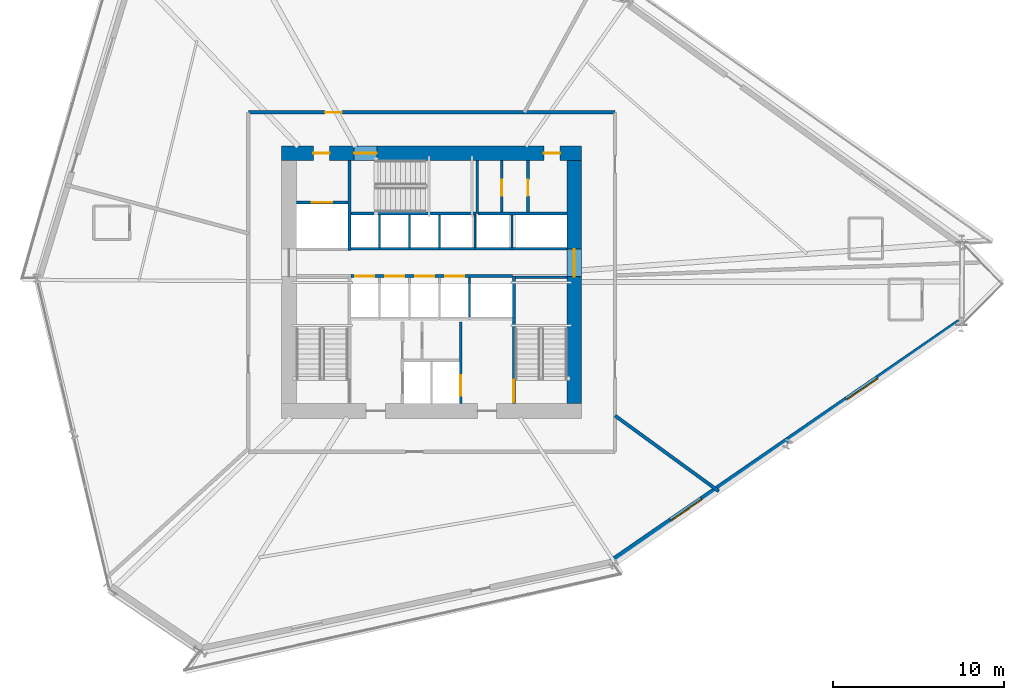
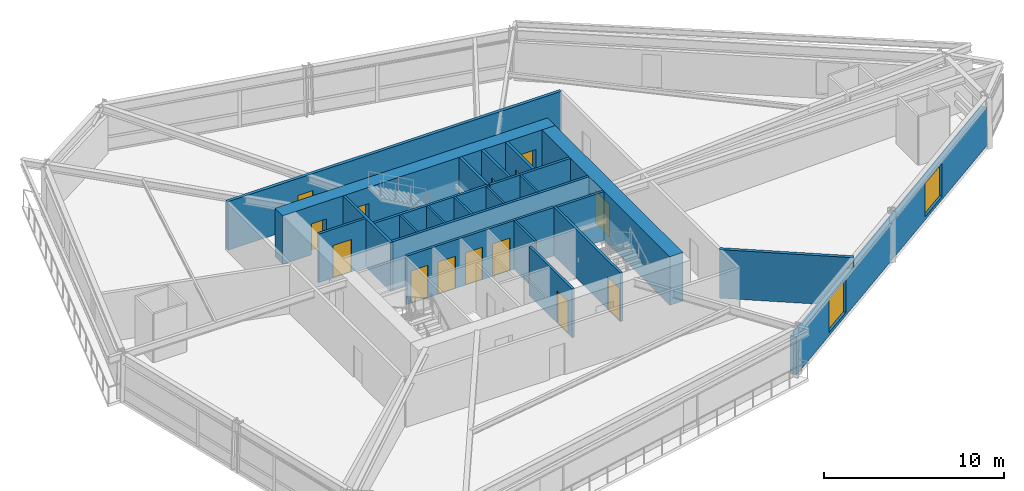
# One storey, part 19 of 24: 23 walls, 14 doors, 2 windows, 16 openings.
"""IFC4 building model written with IfcOpenShell, lengths in metres."""

from ifc_helpers import new_model, si_unit, direction, frame, frame_2d, origin, place, context, subcontext, project, spatial, rectangle, extrude, source, transform, mapped, material, layer, layer_set, type_object, type_shapes, element, fill, save


model = new_model("IFC4")

# Units and contexts
model_context = context("Model", 3, precision=1e-05, world=origin(), true_north=direction((0.0, 1.0)))
body_context = subcontext(model_context, "Body", "Model", "MODEL_VIEW")
ifc_project = project(units=[si_unit("LENGTHUNIT", "METRE"), si_unit("AREAUNIT", "SQUARE_METRE"), si_unit("VOLUMEUNIT", "CUBIC_METRE"), si_unit("PLANEANGLEUNIT", "RADIAN"), si_unit("MASSUNIT", "GRAM", prefix="KILO")], contexts=[model_context])

# Site, building, storey
site_placement = place(None, origin())
site = spatial("IfcSite", under=ifc_project, at=site_placement, CompositionType="ELEMENT")
building_placement = place(site_placement, origin())
building = spatial("IfcBuilding", under=site, at=building_placement, Name="Olszyna Solenne Hotel", CompositionType="ELEMENT")
storey_placement = place(building_placement, frame((0.0, 0.0, 36.39990234375)))
storey = spatial("IfcBuildingStorey", under=building, at=storey_placement, Name="L08", CompositionType="ELEMENT", Elevation=36.39990234375)

# Wall, openings, doors
ifc_material_1 = material(Name="Concrete C60/75", Category="concrete")
ifc_layer_1 = layer(ifc_material_1, 0.85009765625, Name="Concrete C60/75")
ifc_layer_set_1 = layer_set([ifc_layer_1], Name="Concrete C60/75")
wall_type_1 = type_object("IfcWallType", Name="WL-CR850", PredefinedType="SHEAR", material=ifc_layer_set_1)
wall_1_placement = place(storey_placement, frame((29.25, 34.125, 0.0), z_axis=(0.0, 0.0, 1.0), x_axis=(1.0, 0.0, 0.0)))
wall_1 = element("IfcWall", 1, at=wall_1_placement, inside=storey, type_object=wall_type_1, Name="Core shear wall WL-CR850 CRW-L08-N", PredefinedType="SHEAR", context=body_context, shape_type="SweptSolid", body=[
    extrude(rectangle(XDim=17.5, YDim=0.85009765625, at=frame_2d((8.75, 0.0))), origin(), (0.0, 0.0, 1.0), 3.300048828125),
])
opening_1_placement = place(wall_1_placement, frame((1.85009765625, 0.0, 0.0)))
opening_1 = element("IfcOpeningElement", 2, at=opening_1_placement, cuts=wall_1, Name="Opening SVD-L08-01", PredefinedType="OPENING", context=body_context, shape_type="SweptSolid", body=[
    extrude(rectangle(XDim=0.949951171875, YDim=2.10009765625, at=frame_2d((0.47509765625, 1.050048828125))), frame((0.0, 0.43505859375, 0.0), z_axis=(0.0, -1.0, 0.0), x_axis=(1.0, 0.0, 0.0)), (0.0, 0.0, 1.0), 0.8701171875),
])
opening_2_placement = place(wall_1_placement, frame((4.22998046875, 0.0, 0.0)))
opening_2 = element("IfcOpeningElement", 3, at=opening_2_placement, cuts=wall_1, Name="Opening STD-L08-03", PredefinedType="OPENING", context=body_context, shape_type="SweptSolid", body=[
    extrude(rectangle(XDim=1.320068359375, YDim=2.199951171875, at=frame_2d((0.66015625, 1.10009765625))), frame((0.0, 0.43505859375, 0.0), z_axis=(0.0, -1.0, 0.0), x_axis=(1.0, 0.0, 0.0)), (0.0, 0.0, 1.0), 0.8701171875),
])
opening_3_placement = place(wall_1_placement, frame((15.300048828125, 0.0, 0.0)))
opening_3 = element("IfcOpeningElement", 4, at=opening_3_placement, cuts=wall_1, Name="Opening SVD-L08-BN", PredefinedType="OPENING", context=body_context, shape_type="SweptSolid", body=[
    extrude(rectangle(XDim=0.949951171875, YDim=2.10009765625, at=frame_2d((0.47509765625, 1.050048828125))), frame((0.0, 0.43505859375, 0.0), z_axis=(0.0, -1.0, 0.0), x_axis=(1.0, 0.0, 0.0)), (0.0, 0.0, 1.0), 0.8701171875),
])
ifc_material_2 = material(Name="Steel S355J2", Category="steel")
door_type_1 = type_object("IfcDoorType", Name="DR-ST1", OperationType="NOTDEFINED", PredefinedType="DOOR", material=ifc_material_2)
shared_shape_1 = source(origin(), body_context, "Body", "SweptSolid", [
    extrude(rectangle(XDim=1.320068359375, YDim=2.199951171875, at=frame_2d((0.66015625, 1.10009765625))), frame((0.0, 0.02490234375, 0.0), z_axis=(0.0, -1.0, 0.0), x_axis=(1.0, 0.0, 0.0)), (0.0, 0.0, 1.0), 0.050048828125),
])
type_shapes(door_type_1, [shared_shape_1])
door_1_placement = place(opening_2_placement, origin())
door_1 = element("IfcDoor", 5, at=door_1_placement, inside=storey, type_object=door_type_1, Name="Pressurised exit stair ST3 fire door STD-L08-03", OperationType="SINGLE_SWING_RIGHT", OverallHeight=2.199951171875, OverallWidth=1.320068359375, PredefinedType="DOOR", context=body_context, shape_type="MappedRepresentation", body=[
    mapped(shared_shape_1, transform((0.0, 0.0, 0.0), x_axis=(1.0, 0.0, 0.0), y_axis=(0.0, 1.0, 0.0), z_axis=(0.0, 0.0, 1.0), scale=1.0)),
])
fill(opening_2, door_1)
door_type_2 = type_object("IfcDoorType", Name="DR-SV1", OperationType="NOTDEFINED", PredefinedType="DOOR", material=ifc_material_2)
shared_shape_2 = source(origin(), body_context, "Body", "SweptSolid", [
    extrude(rectangle(XDim=0.949951171875, YDim=2.10009765625, at=frame_2d((0.47509765625, 1.050048828125))), frame((0.0, 0.02490234375, 0.0), z_axis=(0.0, -1.0, 0.0), x_axis=(1.0, 0.0, 0.0)), (0.0, 0.0, 1.0), 0.050048828125),
])
type_shapes(door_type_2, [shared_shape_2])
door_2_placement = place(opening_1_placement, origin())
door_2 = element("IfcDoor", 6, at=door_2_placement, inside=storey, type_object=door_type_2, Name="Service lift lobby fire door SVD-L08-01", OperationType="SINGLE_SWING_LEFT", OverallHeight=2.10009765625, OverallWidth=0.949951171875, PredefinedType="DOOR", context=body_context, shape_type="MappedRepresentation", body=[
    mapped(shared_shape_2, transform((0.0, 0.0, 0.0), x_axis=(1.0, 0.0, 0.0), y_axis=(0.0, 1.0, 0.0), z_axis=(0.0, 0.0, 1.0), scale=1.0)),
])
fill(opening_1, door_2)
door_3_placement = place(opening_3_placement, origin())
door_3 = element("IfcDoor", 7, at=door_3_placement, inside=storey, type_object=door_type_2, Name="Housekeeping core fire door SVD-L08-BN", OperationType="SINGLE_SWING_LEFT", OverallHeight=2.10009765625, OverallWidth=0.949951171875, PredefinedType="DOOR", context=body_context, shape_type="MappedRepresentation", body=[
    mapped(shared_shape_2, transform((0.0, 0.0, 0.0), x_axis=(1.0, 0.0, 0.0), y_axis=(0.0, 1.0, 0.0), z_axis=(0.0, 0.0, 1.0), scale=1.0)),
])
fill(opening_3, door_3)

# Wall, opening, door
wall_2_placement = place(storey_placement, frame((46.324951171875, 33.699951171875, 0.0), z_axis=(0.0, 0.0, 1.0), x_axis=(0.0, -1.0, 0.0)))
wall_2 = element("IfcWall", 8, at=wall_2_placement, inside=storey, type_object=wall_type_1, Name="Core shear wall WL-CR850 CRW-L08-E", PredefinedType="SHEAR", context=body_context, shape_type="SweptSolid", body=[
    extrude(rectangle(XDim=14.199951171875, YDim=0.85009765625, at=frame_2d((7.10009765625, 0.0))), origin(), (0.0, 0.0, 1.0), 3.300048828125),
])
opening_4_placement = place(wall_2_placement, frame((5.179931640625, 0.0, 0.0)))
opening_4 = element("IfcOpeningElement", 9, at=opening_4_placement, cuts=wall_2, Name="Opening LHD-L08-E", PredefinedType="OPENING", context=body_context, shape_type="SweptSolid", body=[
    extrude(rectangle(XDim=1.60009765625, YDim=2.199951171875, at=frame_2d((0.800048828125, 1.10009765625))), frame((0.0, 0.43505859375, 0.0), z_axis=(0.0, -1.0, 0.0), x_axis=(1.0, 0.0, 0.0)), (0.0, 0.0, 1.0), 0.8701171875),
])
ifc_material_3 = material(Name="Timber hardwood", Category="wood")
door_type_3 = type_object("IfcDoorType", Name="DR-CR1", OperationType="DOUBLE_DOOR_SINGLE_SWING", PredefinedType="DOOR", material=ifc_material_3)
shared_shape_3 = source(origin(), body_context, "Body", "SweptSolid", [
    extrude(rectangle(XDim=1.60009765625, YDim=2.199951171875, at=frame_2d((0.800048828125, 1.10009765625))), frame((0.0, 0.02490234375, 0.0), z_axis=(0.0, -1.0, 0.0), x_axis=(1.0, 0.0, 0.0)), (0.0, 0.0, 1.0), 0.050048828125),
])
type_shapes(door_type_3, [shared_shape_3])
door_4_placement = place(opening_4_placement, origin())
door_4 = element("IfcDoor", 10, at=door_4_placement, inside=storey, type_object=door_type_3, Name="Passenger lift lobby East fire door LHD-L08-E", OperationType="DOUBLE_DOOR_SINGLE_SWING", OverallHeight=2.199951171875, OverallWidth=1.60009765625, PredefinedType="DOOR", context=body_context, shape_type="MappedRepresentation", body=[
    mapped(shared_shape_3, transform((0.0, 0.0, 0.0), x_axis=(1.0, 0.0, 0.0), y_axis=(0.0, 1.0, 0.0), z_axis=(0.0, 0.0, 1.0), scale=1.0)),
])
fill(opening_4, door_4)

# Wall, openings, windows
ifc_material_4 = material(Name="Terracotta cladding on precast concrete C45/55", Category="masonry")
ifc_layer_2 = layer(ifc_material_4, 0.3798828125, Name="Terracotta cladding on precast concrete C45/55")
ifc_layer_set_2 = layer_set([ifc_layer_2], Name="Terracotta cladding on precast concrete C45/55")
wall_type_2 = type_object("IfcWallType", Name="WL-EX380", PredefinedType="SOLIDWALL", material=ifc_layer_set_2)
wall_3_placement = place(storey_placement, frame((68.81591796875, 24.266357421875, 0.0), z_axis=(0.0, 0.0, 1.0), x_axis=(-0.823714768531, -0.567004391608, 0.0)))
wall_3 = element("IfcWall", 11, at=wall_3_placement, inside=storey, type_object=wall_type_2, Name="Exterior terracotta-precast frame wall WL-EX380 EW-L08-10", PredefinedType="SOLIDWALL", context=body_context, shape_type="SweptSolid", body=[
    extrude(rectangle(XDim=24.658447265625, YDim=0.3798828125, at=frame_2d((12.3291015625, 0.0))), origin(), (0.0, 0.0, 1.0), 2.592041015625),
])
opening_5_placement = place(wall_3_placement, frame((5.803955078125, 0.0, 0.221923828125)))
opening_5 = element("IfcOpeningElement", 12, at=opening_5_placement, cuts=wall_3, Name="Opening WN-L08-034", PredefinedType="OPENING", context=body_context, shape_type="SweptSolid", body=[
    extrude(rectangle(XDim=2.199951171875, YDim=2.25, at=frame_2d((1.10009765625, 1.125))), frame((0.0, 0.199951171875, 0.0), z_axis=(0.0, -1.0, 0.0), x_axis=(1.0, 0.0, 0.0)), (0.0, 0.0, 1.0), 0.39990234375),
])
opening_6_placement = place(wall_3_placement, frame((18.25390625, 0.0, 0.221923828125)))
opening_6 = element("IfcOpeningElement", 13, at=opening_6_placement, cuts=wall_3, Name="Opening WN-L08-035", PredefinedType="OPENING", context=body_context, shape_type="SweptSolid", body=[
    extrude(rectangle(XDim=2.199951171875, YDim=2.25, at=frame_2d((1.10009765625, 1.125))), frame((0.0, 0.199951171875, 0.0), z_axis=(0.0, -1.0, 0.0), x_axis=(1.0, 0.0, 0.0)), (0.0, 0.0, 1.0), 0.39990234375),
])
ifc_material_5 = material(Name="Low-E triple glazing", Category="glass")
window_type = type_object("IfcWindowType", Name="WN-HT2", PartitioningType="SINGLE_PANEL", PredefinedType="WINDOW", material=ifc_material_5)
shared_shape_4 = source(origin(), body_context, "Body", "SweptSolid", [
    extrude(rectangle(XDim=2.199951171875, YDim=2.25, at=frame_2d((1.10009765625, 1.125))), frame((0.0, 0.030029296875, 0.0), z_axis=(0.0, -1.0, 0.0), x_axis=(1.0, 0.0, 0.0)), (0.0, 0.0, 1.0), 0.06005859375),
])
type_shapes(window_type, [shared_shape_4])
window_1_placement = place(opening_5_placement, origin())
window_1 = element("IfcWindow", 14, at=window_1_placement, inside=storey, type_object=window_type, Name="Exterior facade window WN-HT2 WN-L08-034", OverallHeight=2.25, OverallWidth=2.199951171875, PartitioningType="SINGLE_PANEL", PredefinedType="WINDOW", context=body_context, shape_type="MappedRepresentation", body=[
    mapped(shared_shape_4, transform((0.0, 0.0, 0.0), x_axis=(1.0, 0.0, 0.0), y_axis=(0.0, 1.0, 0.0), z_axis=(0.0, 0.0, 1.0), scale=1.0)),
])
fill(opening_5, window_1)
window_2_placement = place(opening_6_placement, origin())
window_2 = element("IfcWindow", 15, at=window_2_placement, inside=storey, type_object=window_type, Name="Exterior facade window WN-HT2 WN-L08-035", OverallHeight=2.25, OverallWidth=2.199951171875, PartitioningType="SINGLE_PANEL", PredefinedType="WINDOW", context=body_context, shape_type="MappedRepresentation", body=[
    mapped(shared_shape_4, transform((0.0, 0.0, 0.0), x_axis=(1.0, 0.0, 0.0), y_axis=(0.0, 1.0, 0.0), z_axis=(0.0, 0.0, 1.0), scale=1.0)),
])
fill(opening_6, window_2)

# Walls
ifc_material_6 = material(Name="Acoustic gypsum partition", Category="gypsum")
ifc_layer_3 = layer(ifc_material_6, 0.125, Name="Acoustic gypsum partition")
ifc_layer_set_3 = layer_set([ifc_layer_3], Name="Acoustic gypsum partition")
wall_type_3 = type_object("IfcWallType", Name="WL-PT125", PredefinedType="PARTITIONING", material=ifc_layer_set_3)
wall_4_placement = place(storey_placement, frame((40.215087890625, 24.56005859375, 0.0), z_axis=(0.0, 0.0, 1.0), x_axis=(0.0, 1.0, 0.0)))
element("IfcWall", 16, at=wall_4_placement, inside=storey, type_object=wall_type_3, Name="Core shaft compartment wall CW-L08-DIVS402", PredefinedType="PARTITIONING", context=body_context, shape_type="SweptSolid", body=[
    extrude(rectangle(XDim=2.31005859375, YDim=0.125, at=frame_2d((1.155029296875, 0.0))), origin(), (0.0, 0.0, 1.0), 3.300048828125),
])
for number, where, z_axis, x_axis, name in (
    (17, (34.965087890625, 28.60009765625, 0.0), (0.0, 0.0, 1.0), (0.0, 1.0, 0.0), "Core shaft compartment wall CW-L08-DIVN349"),
    (18, (36.715087890625, 28.60009765625, 0.0), (0.0, 0.0, 1.0), (0.0, 1.0, 0.0), "Core shaft compartment wall CW-L08-DIVN367"),
    (19, (38.465087890625, 28.60009765625, 0.0), (0.0, 0.0, 1.0), (0.0, 1.0, 0.0), "Core shaft compartment wall CW-L08-DIVN384"),
    (20, (40.52490234375, 28.60009765625, 0.0), (0.0, 0.0, 1.0), (0.0, 1.0, 0.0), "Core shaft compartment wall CW-L08-DIVEX405"),
    (21, (42.699951171875, 28.60009765625, 0.0), (0.0, 0.0, 1.0), (0.0, 1.0, 0.0), "Core shaft compartment wall CW-L08-DIVEX427"),
):
    element("IfcWall", number, at=place(storey_placement, frame(where, z_axis=z_axis, x_axis=x_axis)), inside=storey, type_object=wall_type_3, Name=name, PredefinedType="PARTITIONING", context=body_context, shape_type="SweptSolid", body=[
        extrude(rectangle(XDim=1.919921875, YDim=0.125, at=frame_2d((0.9599609375, 0.0))), origin(), (0.0, 0.0, 1.0), 3.300048828125),
    ])

# Wall, opening, door
ifc_layer_4 = layer(ifc_material_6, 0.159912109375, Name="Acoustic gypsum partition")
ifc_layer_set_4 = layer_set([ifc_layer_4], Name="Acoustic gypsum partition")
wall_type_4 = type_object("IfcWallType", Name="WL-PT160", PredefinedType="PARTITIONING", material=ifc_layer_set_4)
wall_5_placement = place(storey_placement, frame((42.800048828125, 26.9599609375, 0.0), z_axis=(0.0, 0.0, 1.0), x_axis=(0.0, -1.0, 0.0)))
wall_5 = element("IfcWall", 22, at=wall_5_placement, inside=storey, type_object=wall_type_4, Name="Core shaft compartment wall CW-L08-ST2W", PredefinedType="PARTITIONING", context=body_context, shape_type="SweptSolid", body=[
    extrude(rectangle(XDim=7.4599609375, YDim=0.159912109375, at=frame_2d((3.72998046875, 0.0))), origin(), (0.0, 0.0, 1.0), 3.300048828125),
])
opening_7_placement = place(wall_5_placement, frame((6.06005859375, 0.0, 0.0)))
opening_7 = element("IfcOpeningElement", 23, at=opening_7_placement, cuts=wall_5, Name="Opening STD-L08-02", PredefinedType="OPENING", context=body_context, shape_type="SweptSolid", body=[
    extrude(rectangle(XDim=1.320068359375, YDim=2.199951171875, at=frame_2d((0.66015625, 1.10009765625))), frame((0.0, 0.08984375, 0.0), z_axis=(0.0, -1.0, 0.0), x_axis=(1.0, 0.0, 0.0)), (0.0, 0.0, 1.0), 0.179931640625),
])
door_5_placement = place(opening_7_placement, origin())
door_5 = element("IfcDoor", 24, at=door_5_placement, inside=storey, type_object=door_type_1, Name="Pressurised exit stair ST2 fire door STD-L08-02", OperationType="SINGLE_SWING_RIGHT", OverallHeight=2.199951171875, OverallWidth=1.320068359375, PredefinedType="DOOR", context=body_context, shape_type="MappedRepresentation", body=[
    mapped(shared_shape_1, transform((0.0, 0.0, 0.0), x_axis=(1.0, 0.0, 0.0), y_axis=(0.0, 1.0, 0.0), z_axis=(0.0, 0.0, 1.0), scale=1.0)),
])
fill(opening_7, door_5)

# Walls
wall_6_placement = place(storey_placement, frame((42.8798828125, 26.8798828125, 0.0), z_axis=(0.0, 0.0, 1.0), x_axis=(1.0, 0.0, 0.0)))
element("IfcWall", 25, at=wall_6_placement, inside=storey, type_object=wall_type_4, Name="Core shaft compartment wall CW-L08-ST2N", PredefinedType="PARTITIONING", context=body_context, shape_type="SweptSolid", body=[
    extrude(rectangle(XDim=3.02001953125, YDim=0.159912109375, at=frame_2d((1.510009765625, 0.0))), origin(), (0.0, 0.0, 1.0), 3.300048828125),
])
wall_7_placement = place(storey_placement, frame((33.280029296875, 30.60009765625, 0.0), z_axis=(0.0, 0.0, 1.0), x_axis=(1.0, 0.0, 0.0)))
element("IfcWall", 26, at=wall_7_placement, inside=storey, type_object=wall_type_4, Name="Core shaft compartment wall CW-L08-ST3S", PredefinedType="PARTITIONING", context=body_context, shape_type="SweptSolid", body=[
    extrude(rectangle(XDim=7.300048828125, YDim=0.159912109375, at=frame_2d((3.64990234375, 0.0))), origin(), (0.0, 0.0, 1.0), 3.300048828125),
])
wall_8_placement = place(storey_placement, frame((40.659912109375, 30.60009765625, 0.0), z_axis=(0.0, 0.0, 1.0), x_axis=(0.0, 1.0, 0.0)))
element("IfcWall", 27, at=wall_8_placement, inside=storey, type_object=wall_type_4, Name="Core shaft compartment wall CW-L08-ST3E", PredefinedType="PARTITIONING", context=body_context, shape_type="SweptSolid", body=[
    extrude(rectangle(XDim=3.099853515625, YDim=0.159912109375, at=frame_2d((1.5498046875, 0.0))), origin(), (0.0, 0.0, 1.0), 3.300048828125),
])

# Wall, opening, door
wall_9_placement = place(storey_placement, frame((39.699951171875, 24.280029296875, 0.0), z_axis=(0.0, 0.0, 1.0), x_axis=(0.0, -1.0, 0.0)))
wall_9 = element("IfcWall", 28, at=wall_9_placement, inside=storey, type_object=wall_type_4, Name="Core shaft compartment wall CW-L08-FF2E", PredefinedType="PARTITIONING", context=body_context, shape_type="SweptSolid", body=[
    extrude(rectangle(XDim=4.780029296875, YDim=0.159912109375, at=frame_2d((2.39013671875, 0.0))), origin(), (0.0, 0.0, 1.0), 3.300048828125),
])
opening_8_placement = place(wall_9_placement, frame((3.1201171875, 0.0, 0.0)))
opening_8 = element("IfcOpeningElement", 29, at=opening_8_placement, cuts=wall_9, Name="Opening LD-L08-FF2", PredefinedType="OPENING", context=body_context, shape_type="SweptSolid", body=[
    extrude(rectangle(XDim=1.199951171875, YDim=2.199951171875, at=frame_2d((0.60009765625, 1.10009765625))), frame((0.0, 0.08984375, 0.0), z_axis=(0.0, -1.0, 0.0), x_axis=(1.0, 0.0, 0.0)), (0.0, 0.0, 1.0), 0.179931640625),
])
door_type_4 = type_object("IfcDoorType", Name="LD-FF1", OperationType="DOUBLE_DOOR_SLIDING", PredefinedType="DOOR", material=ifc_material_2)
shared_shape_5 = source(origin(), body_context, "Body", "SweptSolid", [
    extrude(rectangle(XDim=1.199951171875, YDim=2.199951171875, at=frame_2d((0.60009765625, 1.10009765625))), frame((0.0, 0.02490234375, 0.0), z_axis=(0.0, -1.0, 0.0), x_axis=(1.0, 0.0, 0.0)), (0.0, 0.0, 1.0), 0.050048828125),
])
type_shapes(door_type_4, [shared_shape_5])
door_6_placement = place(opening_8_placement, origin())
door_6 = element("IfcDoor", 30, at=door_6_placement, inside=storey, type_object=door_type_4, Name="Firefighters lift FF2 sliding landing door LD-L08-FF2", OperationType="DOUBLE_DOOR_SLIDING", OverallHeight=2.199951171875, OverallWidth=1.199951171875, PredefinedType="DOOR", context=body_context, shape_type="MappedRepresentation", body=[
    mapped(shared_shape_5, transform((0.0, 0.0, 0.0), x_axis=(1.0, 0.0, 0.0), y_axis=(0.0, 1.0, 0.0), z_axis=(0.0, 0.0, 1.0), scale=1.0)),
])
fill(opening_8, door_6)

# Wall
wall_10_placement = place(storey_placement, frame((33.199951171875, 28.43994140625, 0.0), z_axis=(0.0, 0.0, 1.0), x_axis=(0.0, 1.0, 0.0)))
element("IfcWall", 31, at=wall_10_placement, inside=storey, type_object=wall_type_4, Name="Core shaft compartment wall CW-L08-SV1E", PredefinedType="PARTITIONING", context=body_context, shape_type="SweptSolid", body=[
    extrude(rectangle(XDim=5.260009765625, YDim=0.159912109375, at=frame_2d((2.6298828125, 0.0))), origin(), (0.0, 0.0, 1.0), 3.300048828125),
])

# Wall, opening, door
wall_11_placement = place(storey_placement, frame((30.10009765625, 31.239990234375, 0.0), z_axis=(0.0, 0.0, 1.0), x_axis=(1.0, 0.0, 0.0)))
wall_11 = element("IfcWall", 32, at=wall_11_placement, inside=storey, type_object=wall_type_4, Name="Core shaft compartment wall CW-L08-SV1N", PredefinedType="PARTITIONING", context=body_context, shape_type="SweptSolid", body=[
    extrude(rectangle(XDim=3.02001953125, YDim=0.159912109375, at=frame_2d((1.510009765625, 0.0))), origin(), (0.0, 0.0, 1.0), 3.300048828125),
])
opening_9_placement = place(wall_11_placement, frame((0.909912109375, 0.0, 0.0)))
opening_9 = element("IfcOpeningElement", 33, at=opening_9_placement, cuts=wall_11, Name="Opening LD-L08-SV1", PredefinedType="OPENING", context=body_context, shape_type="SweptSolid", body=[
    extrude(rectangle(XDim=1.199951171875, YDim=2.199951171875, at=frame_2d((0.60009765625, 1.10009765625))), frame((0.0, 0.08984375, 0.0), z_axis=(0.0, -1.0, 0.0), x_axis=(1.0, 0.0, 0.0)), (0.0, 0.0, 1.0), 0.179931640625),
])
door_7_placement = place(opening_9_placement, origin())
door_7 = element("IfcDoor", 34, at=door_7_placement, inside=storey, type_object=door_type_4, Name="Service lift SV1 sliding landing door LD-L08-SV1", OperationType="DOUBLE_DOOR_SLIDING", OverallHeight=2.199951171875, OverallWidth=1.199951171875, PredefinedType="DOOR", context=body_context, shape_type="MappedRepresentation", body=[
    mapped(shared_shape_5, transform((0.0, 0.0, 0.0), x_axis=(1.0, 0.0, 0.0), y_axis=(0.0, 1.0, 0.0), z_axis=(0.0, 0.0, 1.0), scale=1.0)),
])
fill(opening_9, door_7)

# Wall, openings, doors
wall_12_placement = place(storey_placement, frame((33.280029296875, 26.949951171875, 0.0), z_axis=(0.0, 0.0, 1.0), x_axis=(1.0, 0.0, 0.0)))
wall_12 = element("IfcWall", 35, at=wall_12_placement, inside=storey, type_object=wall_type_4, Name="Core shaft compartment wall CW-L08-LRS", PredefinedType="PARTITIONING", context=body_context, shape_type="SweptSolid", body=[
    extrude(rectangle(XDim=9.43994140625, YDim=0.159912109375, at=frame_2d((4.719970703125, 0.0))), origin(), (0.0, 0.0, 1.0), 3.300048828125),
])
opening_10_placement = place(wall_12_placement, frame((0.260009765625, 0.0, 0.0)))
opening_10 = element("IfcOpeningElement", 36, at=opening_10_placement, cuts=wall_12, Name="Opening LD-L08-PL1", PredefinedType="OPENING", context=body_context, shape_type="SweptSolid", body=[
    extrude(rectangle(XDim=1.10009765625, YDim=2.199951171875, at=frame_2d((0.550048828125, 1.10009765625))), frame((0.0, 0.08984375, 0.0), z_axis=(0.0, -1.0, 0.0), x_axis=(1.0, 0.0, 0.0)), (0.0, 0.0, 1.0), 0.179931640625),
])
opening_11_placement = place(wall_12_placement, frame((2.010009765625, 0.0, 0.0)))
opening_11 = element("IfcOpeningElement", 37, at=opening_11_placement, cuts=wall_12, Name="Opening LD-L08-PL2", PredefinedType="OPENING", context=body_context, shape_type="SweptSolid", body=[
    extrude(rectangle(XDim=1.10009765625, YDim=2.199951171875, at=frame_2d((0.550048828125, 1.10009765625))), frame((0.0, 0.08984375, 0.0), z_axis=(0.0, -1.0, 0.0), x_axis=(1.0, 0.0, 0.0)), (0.0, 0.0, 1.0), 0.179931640625),
])
opening_12_placement = place(wall_12_placement, frame((3.760009765625, 0.0, 0.0)))
opening_12 = element("IfcOpeningElement", 38, at=opening_12_placement, cuts=wall_12, Name="Opening LD-L08-PL3", PredefinedType="OPENING", context=body_context, shape_type="SweptSolid", body=[
    extrude(rectangle(XDim=1.10009765625, YDim=2.199951171875, at=frame_2d((0.550048828125, 1.10009765625))), frame((0.0, 0.08984375, 0.0), z_axis=(0.0, -1.0, 0.0), x_axis=(1.0, 0.0, 0.0)), (0.0, 0.0, 1.0), 0.179931640625),
])
opening_13_placement = place(wall_12_placement, frame((5.510009765625, 0.0, 0.0)))
opening_13 = element("IfcOpeningElement", 39, at=opening_13_placement, cuts=wall_12, Name="Opening LD-L08-PL4", PredefinedType="OPENING", context=body_context, shape_type="SweptSolid", body=[
    extrude(rectangle(XDim=1.10009765625, YDim=2.199951171875, at=frame_2d((0.550048828125, 1.10009765625))), frame((0.0, 0.08984375, 0.0), z_axis=(0.0, -1.0, 0.0), x_axis=(1.0, 0.0, 0.0)), (0.0, 0.0, 1.0), 0.179931640625),
])
door_type_5 = type_object("IfcDoorType", Name="LD-P1", OperationType="DOUBLE_DOOR_SLIDING", PredefinedType="DOOR", material=ifc_material_2)
shared_shape_6 = source(origin(), body_context, "Body", "SweptSolid", [
    extrude(rectangle(XDim=1.10009765625, YDim=2.199951171875, at=frame_2d((0.550048828125, 1.10009765625))), frame((0.0, 0.02490234375, 0.0), z_axis=(0.0, -1.0, 0.0), x_axis=(1.0, 0.0, 0.0)), (0.0, 0.0, 1.0), 0.050048828125),
])
type_shapes(door_type_5, [shared_shape_6])
door_8_placement = place(opening_10_placement, origin())
door_8 = element("IfcDoor", 40, at=door_8_placement, inside=storey, type_object=door_type_5, Name="Passenger lift PL1 sliding landing door LD-L08-PL1", OperationType="DOUBLE_DOOR_SLIDING", OverallHeight=2.199951171875, OverallWidth=1.10009765625, PredefinedType="DOOR", context=body_context, shape_type="MappedRepresentation", body=[
    mapped(shared_shape_6, transform((0.0, 0.0, 0.0), x_axis=(1.0, 0.0, 0.0), y_axis=(0.0, 1.0, 0.0), z_axis=(0.0, 0.0, 1.0), scale=1.0)),
])
fill(opening_10, door_8)
door_9_placement = place(opening_11_placement, origin())
door_9 = element("IfcDoor", 41, at=door_9_placement, inside=storey, type_object=door_type_5, Name="Passenger lift PL2 sliding landing door LD-L08-PL2", OperationType="DOUBLE_DOOR_SLIDING", OverallHeight=2.199951171875, OverallWidth=1.10009765625, PredefinedType="DOOR", context=body_context, shape_type="MappedRepresentation", body=[
    mapped(shared_shape_6, transform((0.0, 0.0, 0.0), x_axis=(1.0, 0.0, 0.0), y_axis=(0.0, 1.0, 0.0), z_axis=(0.0, 0.0, 1.0), scale=1.0)),
])
fill(opening_11, door_9)
door_10_placement = place(opening_12_placement, origin())
door_10 = element("IfcDoor", 42, at=door_10_placement, inside=storey, type_object=door_type_5, Name="Passenger lift PL3 sliding landing door LD-L08-PL3", OperationType="DOUBLE_DOOR_SLIDING", OverallHeight=2.199951171875, OverallWidth=1.10009765625, PredefinedType="DOOR", context=body_context, shape_type="MappedRepresentation", body=[
    mapped(shared_shape_6, transform((0.0, 0.0, 0.0), x_axis=(1.0, 0.0, 0.0), y_axis=(0.0, 1.0, 0.0), z_axis=(0.0, 0.0, 1.0), scale=1.0)),
])
fill(opening_12, door_10)
door_11_placement = place(opening_13_placement, origin())
door_11 = element("IfcDoor", 43, at=door_11_placement, inside=storey, type_object=door_type_5, Name="Passenger lift PL4 sliding landing door LD-L08-PL4", OperationType="DOUBLE_DOOR_SLIDING", OverallHeight=2.199951171875, OverallWidth=1.10009765625, PredefinedType="DOOR", context=body_context, shape_type="MappedRepresentation", body=[
    mapped(shared_shape_6, transform((0.0, 0.0, 0.0), x_axis=(1.0, 0.0, 0.0), y_axis=(0.0, 1.0, 0.0), z_axis=(0.0, 0.0, 1.0), scale=1.0)),
])
fill(opening_13, door_11)

# Walls
wall_13_placement = place(storey_placement, frame((33.280029296875, 28.5400390625, 0.0), z_axis=(0.0, 0.0, 1.0), x_axis=(1.0, 0.0, 0.0)))
element("IfcWall", 44, at=wall_13_placement, inside=storey, type_object=wall_type_4, Name="Core shaft compartment wall CW-L08-LRN", PredefinedType="PARTITIONING", context=body_context, shape_type="SweptSolid", body=[
    extrude(rectangle(XDim=12.619873046875, YDim=0.159912109375, at=frame_2d((6.31005859375, 0.0))), origin(), (0.0, 0.0, 1.0), 3.300048828125),
])
wall_14_placement = place(storey_placement, frame((40.719970703125, 30.60009765625, 0.0), z_axis=(0.0, 0.0, 1.0), x_axis=(1.0, 0.0, 0.0)))
element("IfcWall", 45, at=wall_14_placement, inside=storey, type_object=wall_type_4, Name="Core shaft compartment wall CW-L08-LRNTOP", PredefinedType="PARTITIONING", context=body_context, shape_type="SweptSolid", body=[
    extrude(rectangle(XDim=5.179931640625, YDim=0.159912109375, at=frame_2d((2.58984375, 0.0))), origin(), (0.0, 0.0, 1.0), 3.300048828125),
])

# Wall, opening, door
wall_15_placement = place(storey_placement, frame((42.0849609375, 30.679931640625, 0.0), z_axis=(0.0, 0.0, 1.0), x_axis=(0.0, 1.0, 0.0)))
wall_15 = element("IfcWall", 46, at=wall_15_placement, inside=storey, type_object=wall_type_4, Name="Core shaft compartment wall CW-L08-BOH3A", PredefinedType="PARTITIONING", context=body_context, shape_type="SweptSolid", body=[
    extrude(rectangle(XDim=3.02001953125, YDim=0.159912109375, at=frame_2d((1.510009765625, 0.0))), origin(), (0.0, 0.0, 1.0), 3.300048828125),
])
opening_14_placement = place(wall_15_placement, frame((0.949951171875, 0.0, 0.0)))
opening_14 = element("IfcOpeningElement", 47, at=opening_14_placement, cuts=wall_15, Name="Opening SVD-L08-B31", PredefinedType="OPENING", context=body_context, shape_type="SweptSolid", body=[
    extrude(rectangle(XDim=0.949951171875, YDim=2.10009765625, at=frame_2d((0.47509765625, 1.050048828125))), frame((0.0, 0.08984375, 0.0), z_axis=(0.0, -1.0, 0.0), x_axis=(1.0, 0.0, 0.0)), (0.0, 0.0, 1.0), 0.179931640625),
])
door_12_placement = place(opening_14_placement, origin())
door_12 = element("IfcDoor", 48, at=door_12_placement, inside=storey, type_object=door_type_2, Name="BOH inter-room fire door SVD-L08-B31", OperationType="SINGLE_SWING_LEFT", OverallHeight=2.10009765625, OverallWidth=0.949951171875, PredefinedType="DOOR", context=body_context, shape_type="MappedRepresentation", body=[
    mapped(shared_shape_2, transform((0.0, 0.0, 0.0), x_axis=(1.0, 0.0, 0.0), y_axis=(0.0, 1.0, 0.0), z_axis=(0.0, 0.0, 1.0), scale=1.0)),
])
fill(opening_14, door_12)

wall_16_placement = place(storey_placement, frame((43.625, 30.679931640625, 0.0), z_axis=(0.0, 0.0, 1.0), x_axis=(0.0, 1.0, 0.0)))
wall_16 = element("IfcWall", 49, at=wall_16_placement, inside=storey, type_object=wall_type_4, Name="Core shaft compartment wall CW-L08-BOH3B", PredefinedType="PARTITIONING", context=body_context, shape_type="SweptSolid", body=[
    extrude(rectangle(XDim=3.02001953125, YDim=0.159912109375, at=frame_2d((1.510009765625, 0.0))), origin(), (0.0, 0.0, 1.0), 3.300048828125),
])
opening_15_placement = place(wall_16_placement, frame((0.949951171875, 0.0, 0.0)))
opening_15 = element("IfcOpeningElement", 50, at=opening_15_placement, cuts=wall_16, Name="Opening SVD-L08-B32", PredefinedType="OPENING", context=body_context, shape_type="SweptSolid", body=[
    extrude(rectangle(XDim=0.949951171875, YDim=2.10009765625, at=frame_2d((0.47509765625, 1.050048828125))), frame((0.0, 0.08984375, 0.0), z_axis=(0.0, -1.0, 0.0), x_axis=(1.0, 0.0, 0.0)), (0.0, 0.0, 1.0), 0.179931640625),
])
door_13_placement = place(opening_15_placement, origin())
door_13 = element("IfcDoor", 51, at=door_13_placement, inside=storey, type_object=door_type_2, Name="BOH inter-room fire door SVD-L08-B32", OperationType="SINGLE_SWING_LEFT", OverallHeight=2.10009765625, OverallWidth=0.949951171875, PredefinedType="DOOR", context=body_context, shape_type="MappedRepresentation", body=[
    mapped(shared_shape_2, transform((0.0, 0.0, 0.0), x_axis=(1.0, 0.0, 0.0), y_axis=(0.0, 1.0, 0.0), z_axis=(0.0, 0.0, 1.0), scale=1.0)),
])
fill(opening_15, door_13)

# Wall
ifc_layer_5 = layer(ifc_material_6, 0.199951171875, Name="Acoustic gypsum partition")
ifc_layer_set_5 = layer_set([ifc_layer_5], Name="Acoustic gypsum partition")
wall_type_5 = type_object("IfcWallType", Name="WL-PT200", PredefinedType="PARTITIONING", material=ifc_layer_set_5)
wall_17_placement = place(storey_placement, frame((48.699951171875, 18.806640625, 0.0), z_axis=(0.0, 0.0, 1.0), x_axis=(0.808338601766, -0.58871784829, 0.0)))
element("IfcWall", 52, at=wall_17_placement, inside=storey, type_object=wall_type_5, Name="Interior acoustic partition WL-PT200 PW-L08-0454", PredefinedType="PARTITIONING", context=body_context, shape_type="SweptSolid", body=[
    extrude(rectangle(XDim=7.49365234375, YDim=0.199951171875, at=frame_2d((3.746826171875, 0.0))), origin(), (0.0, 0.0, 1.0), 3.300048828125),
])

# Wall, opening, door
wall_18_placement = place(storey_placement, frame((27.300048828125, 36.5, 0.0), z_axis=(0.0, 0.0, 1.0), x_axis=(1.0, 0.0, 0.0)))
wall_18 = element("IfcWall", 53, at=wall_18_placement, inside=storey, type_object=wall_type_5, Name="Interior acoustic partition WL-PT200 PW-L08-0469", PredefinedType="PARTITIONING", context=body_context, shape_type="SweptSolid", body=[
    extrude(rectangle(XDim=21.39990234375, YDim=0.199951171875, at=frame_2d((10.699951171875, 0.0))), origin(), (0.0, 0.0, 1.0), 3.300048828125),
])
opening_16_placement = place(wall_18_placement, frame((4.48388671875, 0.0, 0.0)))
opening_16 = element("IfcOpeningElement", 54, at=opening_16_placement, cuts=wall_18, Name="Opening DR-L08-0103", PredefinedType="OPENING", context=body_context, shape_type="SweptSolid", body=[
    extrude(rectangle(XDim=0.97998046875, YDim=2.14990234375, at=frame_2d((0.489990234375, 1.074951171875))), frame((0.0, 0.10986328125, 0.0), z_axis=(0.0, -1.0, 0.0), x_axis=(1.0, 0.0, 0.0)), (0.0, 0.0, 1.0), 0.219970703125),
])
door_type_6 = type_object("IfcDoorType", Name="DR-RM1", OperationType="NOTDEFINED", PredefinedType="DOOR", material=ifc_material_3)
shared_shape_7 = source(origin(), body_context, "Body", "SweptSolid", [
    extrude(rectangle(XDim=0.97998046875, YDim=2.14990234375, at=frame_2d((0.489990234375, 1.074951171875))), frame((0.0, 0.02490234375, 0.0), z_axis=(0.0, -1.0, 0.0), x_axis=(1.0, 0.0, 0.0)), (0.0, 0.0, 1.0), 0.050048828125),
])
type_shapes(door_type_6, [shared_shape_7])
door_14_placement = place(opening_16_placement, origin())
door_14 = element("IfcDoor", 55, at=door_14_placement, inside=storey, type_object=door_type_6, Name="Executive Club Lounge Entrance Door DR-L08-0103", OperationType="SINGLE_SWING_LEFT", OverallHeight=2.14990234375, OverallWidth=0.97998046875, PredefinedType="DOOR", context=body_context, shape_type="MappedRepresentation", body=[
    mapped(shared_shape_7, transform((0.0, 0.0, 0.0), x_axis=(1.0, 0.0, 0.0), y_axis=(0.0, 1.0, 0.0), z_axis=(0.0, 0.0, 1.0), scale=1.0)),
])
fill(opening_16, door_14)

save(model, "model.ifc")
